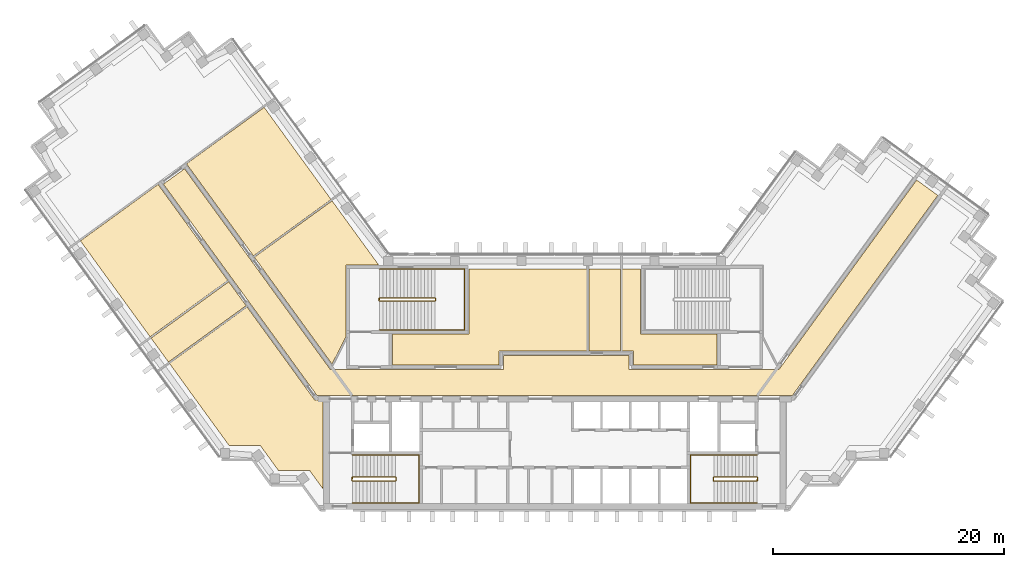
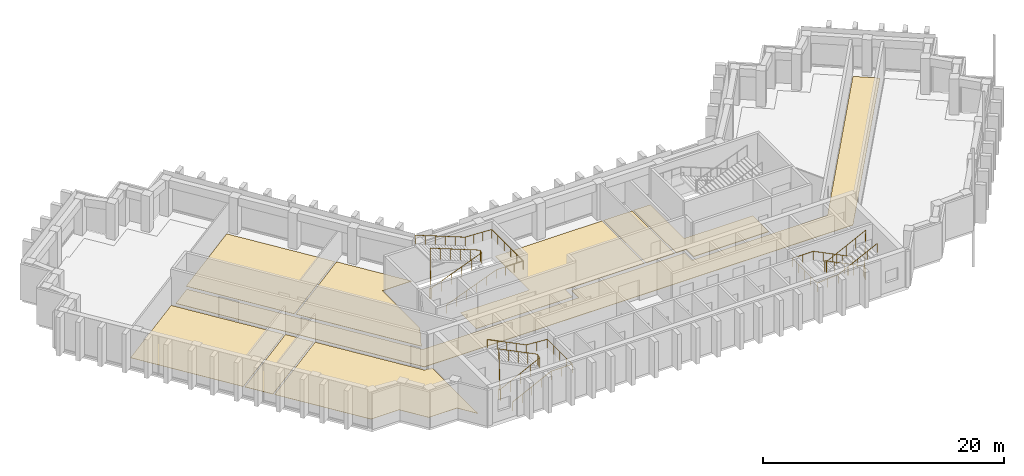
# One storey, part 8 of 9: 9 coverings, 6 railings.
"""IFC4 building model written with IfcOpenShell, lengths in metres."""

from ifc_helpers import new_model, si_unit, direction, frame, origin, origin_2d, place, context, subcontext, project, spatial, polyline, circle, outline, extrude, material, layer, layer_set, type_object, element, save


model = new_model("IFC4")

# Units and contexts
model_context = context("Model", 3, precision=1e-05, world=origin(), true_north=direction((0.0, 1.0)))
body_context = subcontext(model_context, "Body", "Model", "MODEL_VIEW")
ifc_project = project(units=[si_unit("LENGTHUNIT", "METRE"), si_unit("AREAUNIT", "SQUARE_METRE"), si_unit("VOLUMEUNIT", "CUBIC_METRE"), si_unit("PLANEANGLEUNIT", "RADIAN"), si_unit("MASSUNIT", "GRAM", prefix="KILO")], contexts=[model_context])

# Site, building, storey
site_placement = place(None, origin())
site = spatial("IfcSite", under=ifc_project, at=site_placement, CompositionType="ELEMENT")
building_placement = place(site_placement, origin())
building = spatial("IfcBuilding", under=site, at=building_placement, Name="Quipu Civic Tower", CompositionType="ELEMENT")
storey_placement = place(building_placement, frame((0.0, 0.0, 226.0)))
storey = spatial("IfcBuildingStorey", under=building, at=storey_placement, Name="L53", CompositionType="ELEMENT", Elevation=226.0)

# Coverings
ifc_material_1 = material(Name="Carpet tile on raised access floor")
ifc_layer_1 = layer(ifc_material_1, 0.02001953125)
ifc_layer_set_1 = layer_set([ifc_layer_1], Name="Carpet tile on raised access floor")
covering_type_1 = type_object("IfcCoveringType", Name="Carpet tile floor finish 20", PredefinedType="FLOORING", material=ifc_layer_set_1)
covering_1_placement = place(storey_placement, origin())
element("IfcCovering", 1, at=covering_1_placement, inside=storey, type_object=covering_type_1, Name="Carpet tile floor finish 20", PredefinedType="FLOORING", context=body_context, shape_type="SweptSolid", body=[
    extrude(outline(polyline([(-33.344970703125, 1.64501953125), (-26.6220703125, 6.529052734375), (-20.77490234375, -1.51904296875), (-20.070068359375, -1.52001953125), (-20.070068359375, -9.195068359375), (-21.196044921875, -7.64599609375), (-23.89501953125, -7.64599609375), (-25.48193359375, -5.4619140625), (-28.181884765625, -5.4609375), (-33.344970703125, 1.64501953125)])), origin(), (0.0, 0.0, 1.0), 0.02001953125),
])
covering_2_placement = place(storey_placement, origin())
element("IfcCovering", 2, at=covering_2_placement, inside=storey, type_object=covering_type_1, Name="Carpet tile floor finish 20", PredefinedType="FLOORING", context=body_context, shape_type="SweptSolid", body=[
    extrude(outline(polyline([(-14.030029296875, 1.52001953125), (-14.030029296875, 4.179931640625), (-7.429931640625, 4.180908203125), (-7.429931640625, 9.830078125), (2.80908203125, 9.830078125), (2.80908203125, 2.719970703125), (-4.818115234375, 2.719970703125), (-4.820068359375, 1.52001953125), (-14.030029296875, 1.52001953125)])), origin(), (0.0, 0.0, 1.0), 0.02001953125),
])
covering_3_placement = place(storey_placement, origin())
element("IfcCovering", 3, at=covering_3_placement, inside=storey, type_object=covering_type_1, Name="Carpet tile floor finish 20", PredefinedType="FLOORING", context=body_context, shape_type="SweptSolid", body=[
    extrude(outline(polyline([(-41.048095703125, 12.2470703125), (-34.324951171875, 17.131103515625), (-28.2919921875, 8.826904296875), (-35.01611328125, 3.943115234375), (-41.048095703125, 12.2470703125)])), origin(), (0.0, 0.0, 1.0), 0.02001953125),
])
covering_4_placement = place(storey_placement, origin())
element("IfcCovering", 4, at=covering_4_placement, inside=storey, type_object=covering_type_1, Name="Carpet tile floor finish 20", PredefinedType="FLOORING", context=body_context, shape_type="SweptSolid", body=[
    extrude(outline(polyline([(-31.865966796875, 18.9189453125), (-25.14306640625, 23.802978515625), (-19.35107421875, 15.8291015625), (-26.073974609375, 10.946044921875), (-31.865966796875, 18.9189453125)])), origin(), (0.0, 0.0, 1.0), 0.02001953125),
])
ifc_material_2 = material(Name="Ceramic floor tile")
ifc_layer_2 = layer(ifc_material_2, 0.030029296875)
ifc_layer_set_2 = layer_set([ifc_layer_2], Name="Ceramic floor tile")
covering_type_2 = type_object("IfcCoveringType", Name="Ceramic tile floor finish 30", PredefinedType="FLOORING", material=ifc_layer_set_2)
covering_5_placement = place(storey_placement, origin())
element("IfcCovering", 5, at=covering_5_placement, inside=storey, type_object=covering_type_2, Name="Ceramic tile floor finish 30", PredefinedType="FLOORING", context=body_context, shape_type="SweptSolid", body=[
    extrude(outline(polyline([(-25.990966796875, 10.8330078125), (-19.26806640625, 15.716064453125), (-15.238037109375, 10.169921875), (-18.070068359375, 10.1689453125), (-18.070068359375, 3.94189453125), (-19.27197265625, 1.583984375), (-25.990966796875, 10.8330078125)])), origin(), (0.0, 0.0, 1.0), 0.030029296875),
])
covering_6_placement = place(storey_placement, origin())
element("IfcCovering", 6, at=covering_6_placement, inside=storey, type_object=covering_type_2, Name="Ceramic tile floor finish 30", PredefinedType="FLOORING", context=body_context, shape_type="SweptSolid", body=[
    extrude(outline(polyline([(-34.931884765625, 3.830078125), (-28.208984375, 8.714111328125), (-26.705078125, 6.64208984375), (-33.427978515625, 1.758056640625), (-34.931884765625, 3.830078125)])), origin(), (0.0, 0.0, 1.0), 0.030029296875),
])
covering_7_placement = place(storey_placement, origin())
element("IfcCovering", 7, at=covering_7_placement, inside=storey, type_object=covering_type_2, Name="Ceramic tile floor finish 30", PredefinedType="FLOORING", context=body_context, shape_type="SweptSolid", body=[
    extrude(outline(polyline([(2.948974609375, 2.719970703125), (2.948974609375, 9.830078125), (5.68798828125, 9.830078125), (5.68798828125, 2.719970703125), (2.948974609375, 2.719970703125)])), origin(), (0.0, 0.0, 1.0), 0.030029296875),
])
ifc_material_3 = material(Name="Sealed cement screed")
ifc_layer_3 = layer(ifc_material_3, 0.050048828125)
ifc_layer_set_3 = layer_set([ifc_layer_3], Name="Sealed cement screed")
covering_type_3 = type_object("IfcCoveringType", Name="Sealed screed floor finish 50", PredefinedType="FLOORING", material=ifc_layer_set_3)
covering_8_placement = place(storey_placement, origin())
element("IfcCovering", 8, at=covering_8_placement, inside=storey, type_object=covering_type_3, Name="Sealed screed floor finish 50", PredefinedType="FLOORING", context=body_context, shape_type="SweptSolid", body=[
    extrude(outline(polyline([(5.827880859375, 2.719970703125), (5.827880859375, 9.830078125), (7.429931640625, 9.830078125), (7.430908203125, 4.179931640625), (14.030029296875, 4.179931640625), (14.030029296875, 1.52001953125), (6.820068359375, 1.52001953125), (6.820068359375, 2.718994140625), (5.827880859375, 2.719970703125)])), origin(), (0.0, 0.0, 1.0), 0.050048828125),
])

# Railings
ifc_material_4 = material(Name="Stainless steel", Category="steel")
railing_type_1 = type_object("IfcRailingType", Name="Stair guard 1100", PredefinedType="GUARDRAIL", material=ifc_material_4)
railing_1_placement = place(storey_placement, frame((-17.5, -8.550048828125, 0.15380859375)))
element("IfcRailing", 9, at=railing_1_placement, inside=storey, type_object=railing_type_1, Name="Stair 1 guard", PredefinedType="GUARDRAIL", context=body_context, shape_type="SweptSolid", body=[
    extrude(circle(Radius=0.02392578125, at=origin_2d()), frame((0.0, 0.0, 1.076171875), z_axis=(0.895751851347, 0.0, 0.444554407028), x_axis=(0.0, 1.0, 0.0)), (0.0, 0.0, 1.0), 4.15283203125),
    extrude(circle(Radius=0.02392578125, at=origin_2d()), frame((3.719970703125, 0.0, 2.92236328125), z_axis=(0.707106781187, 0.707106781187, 0.0), x_axis=(-0.707106781187, 0.707106781187, 0.0)), (0.0, 0.0, 1.0), 0.07080078125),
    extrude(circle(Radius=0.02392578125, at=origin_2d()), frame((3.77001953125, 0.050048828125, 2.92236328125), z_axis=(0.0, 1.0, 0.0), x_axis=(-1.0, 0.0, 0.0)), (0.0, 0.0, 1.0), 0.25),
    extrude(circle(Radius=0.02392578125, at=origin_2d()), frame((3.77001953125, 0.300048828125, 2.92236328125), z_axis=(-0.295599637079, 0.295599637079, 0.908428152975), x_axis=(-0.707106781187, -0.707106781187, 0.0)), (0.0, 0.0, 1.0), 0.16943359375),
    extrude(circle(Radius=0.02392578125, at=origin_2d()), frame((3.719970703125, 0.35009765625, 3.076171875), z_axis=(-0.895751851347, 0.0, 0.444554407028), x_axis=(0.0, -1.0, 0.0)), (0.0, 0.0, 1.0), 4.15283203125),
    extrude(circle(Radius=0.02392578125, at=origin_2d()), frame((0.0, 0.35009765625, 4.92236328125), z_axis=(-0.012476181752, -0.074796231092, -0.997120789425), x_axis=(0.986372223864, -0.164529134168, 0.0)), (0.0, 0.0, 1.0), 4.011474609375),
    extrude(circle(Radius=0.02392578125, at=origin_2d()), frame((-0.050048828125, 0.050048828125, 0.92236328125), z_axis=(0.0, 1.0, 0.0), x_axis=(-1.0, 0.0, 0.0)), (0.0, 0.0, 1.0), 0.25),
    extrude(circle(Radius=0.02099609375, at=origin_2d()), origin(), (0.0, 0.0, 1.0), 1.052001953125),
    extrude(circle(Radius=0.02099609375, at=origin_2d()), frame((0.929931640625, 0.0, 0.46142578125)), (0.0, 0.0, 1.0), 1.052001953125),
    extrude(circle(Radius=0.02099609375, at=origin_2d()), frame((1.85986328125, 0.0, 0.923095703125)), (0.0, 0.0, 1.0), 1.052001953125),
    extrude(circle(Radius=0.02099609375, at=origin_2d()), frame((2.7900390625, 0.0, 1.384765625)), (0.0, 0.0, 1.0), 1.052001953125),
    extrude(circle(Radius=0.02099609375, at=origin_2d()), frame((3.719970703125, 0.0, 1.84619140625)), (0.0, 0.0, 1.0), 1.052001953125),
    extrude(circle(Radius=0.02099609375, at=origin_2d()), frame((3.77001953125, 0.050048828125, 1.84619140625)), (0.0, 0.0, 1.0), 1.052001953125),
    extrude(circle(Radius=0.02099609375, at=origin_2d()), frame((3.77001953125, 0.300048828125, 1.84619140625)), (0.0, 0.0, 1.0), 1.052001953125),
    extrude(circle(Radius=0.02099609375, at=origin_2d()), frame((3.719970703125, 0.35009765625, 2.0)), (0.0, 0.0, 1.0), 1.052001953125),
    extrude(circle(Radius=0.02099609375, at=origin_2d()), frame((2.7900390625, 0.35009765625, 2.46142578125)), (0.0, 0.0, 1.0), 1.052001953125),
    extrude(circle(Radius=0.02099609375, at=origin_2d()), frame((1.85986328125, 0.35009765625, 2.923095703125)), (0.0, 0.0, 1.0), 1.052001953125),
    extrude(circle(Radius=0.02099609375, at=origin_2d()), frame((0.929931640625, 0.35009765625, 3.384765625)), (0.0, 0.0, 1.0), 1.052001953125),
    extrude(circle(Radius=0.02099609375, at=origin_2d()), frame((0.0, 0.35009765625, 3.84619140625)), (0.0, 0.0, 1.0), 1.052001953125),
    extrude(circle(Radius=0.02099609375, at=origin_2d()), frame((-0.012451171875, 0.275146484375, 2.84619140625)), (0.0, 0.0, 1.0), 1.052001953125),
    extrude(circle(Radius=0.02099609375, at=origin_2d()), frame((-0.02490234375, 0.2001953125, 1.84619140625)), (0.0, 0.0, 1.0), 1.052001953125),
    extrude(circle(Radius=0.02099609375, at=origin_2d()), frame((-0.03759765625, 0.125, 0.84619140625)), (0.0, 0.0, 1.0), 1.052001953125),
    extrude(circle(Radius=0.02099609375, at=origin_2d()), frame((-0.050048828125, 0.050048828125, -0.15380859375)), (0.0, 0.0, 1.0), 1.052001953125),
    extrude(circle(Radius=0.02099609375, at=origin_2d()), frame((-0.050048828125, 0.300048828125, -0.15380859375)), (0.0, 0.0, 1.0), 1.052001953125),
])
railing_2_placement = place(storey_placement, frame((17.5, -8.199951171875, 0.15380859375)))
element("IfcRailing", 10, at=railing_2_placement, inside=storey, type_object=railing_type_1, Name="Stair 2 guard", PredefinedType="GUARDRAIL", context=body_context, shape_type="SweptSolid", body=[
    extrude(circle(Radius=0.02392578125, at=origin_2d()), frame((0.0, 0.0, 1.076171875), z_axis=(-0.895751851347, 0.0, 0.444554407028), x_axis=(0.0, -1.0, 0.0)), (0.0, 0.0, 1.0), 4.15283203125),
    extrude(circle(Radius=0.02392578125, at=origin_2d()), frame((-3.719970703125, 0.0, 2.92236328125), z_axis=(-0.707106781187, -0.707106781187, 0.0), x_axis=(0.707106781187, -0.707106781187, 0.0)), (0.0, 0.0, 1.0), 0.07080078125),
    extrude(circle(Radius=0.02392578125, at=origin_2d()), frame((-3.77001953125, -0.050048828125, 2.92236328125), z_axis=(0.0, -1.0, 0.0), x_axis=(1.0, 0.0, 0.0)), (0.0, 0.0, 1.0), 0.25),
    extrude(circle(Radius=0.02392578125, at=origin_2d()), frame((-3.77001953125, -0.300048828125, 2.92236328125), z_axis=(0.295599637079, -0.295599637079, 0.908428152975), x_axis=(0.707106781187, 0.707106781187, 0.0)), (0.0, 0.0, 1.0), 0.16943359375),
    extrude(circle(Radius=0.02392578125, at=origin_2d()), frame((-3.719970703125, -0.35009765625, 3.076171875), z_axis=(0.895751851347, 0.0, 0.444554407028), x_axis=(0.0, 1.0, 0.0)), (0.0, 0.0, 1.0), 4.15283203125),
    extrude(circle(Radius=0.02392578125, at=origin_2d()), frame((0.0, -0.35009765625, 4.92236328125), z_axis=(0.012476181752, 0.074796231092, -0.997120789425), x_axis=(-0.986372223864, 0.164529134168, 0.0)), (0.0, 0.0, 1.0), 4.011474609375),
    extrude(circle(Radius=0.02392578125, at=origin_2d()), frame((0.050048828125, -0.050048828125, 0.92236328125), z_axis=(0.0, -1.0, 0.0), x_axis=(1.0, 0.0, 0.0)), (0.0, 0.0, 1.0), 0.25),
    extrude(circle(Radius=0.02099609375, at=origin_2d()), origin(), (0.0, 0.0, 1.0), 1.052001953125),
    extrude(circle(Radius=0.02099609375, at=origin_2d()), frame((-0.929931640625, 0.0, 0.46142578125)), (0.0, 0.0, 1.0), 1.052001953125),
    extrude(circle(Radius=0.02099609375, at=origin_2d()), frame((-1.85986328125, 0.0, 0.923095703125)), (0.0, 0.0, 1.0), 1.052001953125),
    extrude(circle(Radius=0.02099609375, at=origin_2d()), frame((-2.7900390625, 0.0, 1.384765625)), (0.0, 0.0, 1.0), 1.052001953125),
    extrude(circle(Radius=0.02099609375, at=origin_2d()), frame((-3.719970703125, 0.0, 1.84619140625)), (0.0, 0.0, 1.0), 1.052001953125),
    extrude(circle(Radius=0.02099609375, at=origin_2d()), frame((-3.77001953125, -0.050048828125, 1.84619140625)), (0.0, 0.0, 1.0), 1.052001953125),
    extrude(circle(Radius=0.02099609375, at=origin_2d()), frame((-3.77001953125, -0.300048828125, 1.84619140625)), (0.0, 0.0, 1.0), 1.052001953125),
    extrude(circle(Radius=0.02099609375, at=origin_2d()), frame((-3.719970703125, -0.35009765625, 2.0)), (0.0, 0.0, 1.0), 1.052001953125),
    extrude(circle(Radius=0.02099609375, at=origin_2d()), frame((-2.7900390625, -0.35009765625, 2.46142578125)), (0.0, 0.0, 1.0), 1.052001953125),
    extrude(circle(Radius=0.02099609375, at=origin_2d()), frame((-1.85986328125, -0.35009765625, 2.923095703125)), (0.0, 0.0, 1.0), 1.052001953125),
    extrude(circle(Radius=0.02099609375, at=origin_2d()), frame((-0.929931640625, -0.35009765625, 3.384765625)), (0.0, 0.0, 1.0), 1.052001953125),
    extrude(circle(Radius=0.02099609375, at=origin_2d()), frame((0.0, -0.35009765625, 3.84619140625)), (0.0, 0.0, 1.0), 1.052001953125),
    extrude(circle(Radius=0.02099609375, at=origin_2d()), frame((0.012451171875, -0.275146484375, 2.84619140625)), (0.0, 0.0, 1.0), 1.052001953125),
    extrude(circle(Radius=0.02099609375, at=origin_2d()), frame((0.02490234375, -0.2001953125, 1.84619140625)), (0.0, 0.0, 1.0), 1.052001953125),
    extrude(circle(Radius=0.02099609375, at=origin_2d()), frame((0.03759765625, -0.125, 0.84619140625)), (0.0, 0.0, 1.0), 1.052001953125),
    extrude(circle(Radius=0.02099609375, at=origin_2d()), frame((0.050048828125, -0.050048828125, -0.15380859375)), (0.0, 0.0, 1.0), 1.052001953125),
    extrude(circle(Radius=0.02099609375, at=origin_2d()), frame((0.050048828125, -0.300048828125, -0.15380859375)), (0.0, 0.0, 1.0), 1.052001953125),
])
railing_3_placement = place(storey_placement, frame((-15.14990234375, 7.050048828125, 0.11767578125)))
element("IfcRailing", 11, at=railing_3_placement, inside=storey, type_object=railing_type_1, Name="Stair 3 guard", PredefinedType="GUARDRAIL", context=body_context, shape_type="SweptSolid", body=[
    extrude(circle(Radius=0.02392578125, at=origin_2d()), frame((0.0, 0.0, 1.076171875), z_axis=(0.930970042603, 0.0, 0.365095576219), x_axis=(0.0, 1.0, 0.0)), (0.0, 0.0, 1.0), 5.15576171875),
    extrude(circle(Radius=0.02392578125, at=origin_2d()), frame((4.7998046875, 0.0, 2.95849609375), z_axis=(0.707106781187, 0.707106781187, 0.0), x_axis=(-0.707106781187, 0.707106781187, 0.0)), (0.0, 0.0, 1.0), 0.07080078125),
    extrude(circle(Radius=0.02392578125, at=origin_2d()), frame((4.849853515625, 0.050048828125, 2.95849609375), z_axis=(0.0, 1.0, 0.0), x_axis=(-1.0, 0.0, 0.0)), (0.0, 0.0, 1.0), 0.14990234375),
    extrude(circle(Radius=0.02392578125, at=origin_2d()), frame((4.849853515625, 0.199951171875, 2.95849609375), z_axis=(-0.364463019033, 0.364463019033, 0.856932561824), x_axis=(-0.707106781187, -0.707106781187, 0.0)), (0.0, 0.0, 1.0), 0.13720703125),
    extrude(circle(Radius=0.02392578125, at=origin_2d()), frame((4.7998046875, 0.25, 3.076171875), z_axis=(-0.930970042603, 0.0, 0.365095576219), x_axis=(0.0, -1.0, 0.0)), (0.0, 0.0, 1.0), 5.15576171875),
    extrude(circle(Radius=0.02392578125, at=origin_2d()), frame((0.0, 0.25, 4.95849609375), z_axis=(-0.012495627992, -0.049921557685, -0.998674970829), x_axis=(0.970072785993, -0.242814311512, 0.0)), (0.0, 0.0, 1.0), 4.00537109375),
    extrude(circle(Radius=0.02392578125, at=origin_2d()), frame((-0.050048828125, 0.050048828125, 0.95849609375), z_axis=(0.0, 1.0, 0.0), x_axis=(-1.0, 0.0, 0.0)), (0.0, 0.0, 1.0), 0.14990234375),
    extrude(circle(Radius=0.02099609375, at=origin_2d()), origin(), (0.0, 0.0, 1.0), 1.052001953125),
    extrude(circle(Radius=0.02099609375, at=origin_2d()), frame((0.9599609375, 0.0, 0.37646484375)), (0.0, 0.0, 1.0), 1.052001953125),
    extrude(circle(Radius=0.02099609375, at=origin_2d()), frame((1.919921875, 0.0, 0.7529296875)), (0.0, 0.0, 1.0), 1.052001953125),
    extrude(circle(Radius=0.02099609375, at=origin_2d()), frame((2.8798828125, 0.0, 1.12939453125)), (0.0, 0.0, 1.0), 1.052001953125),
    extrude(circle(Radius=0.02099609375, at=origin_2d()), frame((3.83984375, 0.0, 1.505859375)), (0.0, 0.0, 1.0), 1.052001953125),
    extrude(circle(Radius=0.02099609375, at=origin_2d()), frame((4.7998046875, 0.0, 1.88232421875)), (0.0, 0.0, 1.0), 1.052001953125),
    extrude(circle(Radius=0.02099609375, at=origin_2d()), frame((4.849853515625, 0.050048828125, 1.88232421875)), (0.0, 0.0, 1.0), 1.052001953125),
    extrude(circle(Radius=0.02099609375, at=origin_2d()), frame((4.849853515625, 0.199951171875, 1.88232421875)), (0.0, 0.0, 1.0), 1.052001953125),
    extrude(circle(Radius=0.02099609375, at=origin_2d()), frame((4.7998046875, 0.25, 2.0)), (0.0, 0.0, 1.0), 1.052001953125),
    extrude(circle(Radius=0.02099609375, at=origin_2d()), frame((3.83984375, 0.25, 2.37646484375)), (0.0, 0.0, 1.0), 1.052001953125),
    extrude(circle(Radius=0.02099609375, at=origin_2d()), frame((2.8798828125, 0.25, 2.7529296875)), (0.0, 0.0, 1.0), 1.052001953125),
    extrude(circle(Radius=0.02099609375, at=origin_2d()), frame((1.919921875, 0.25, 3.12939453125)), (0.0, 0.0, 1.0), 1.052001953125),
    extrude(circle(Radius=0.02099609375, at=origin_2d()), frame((0.9599609375, 0.25, 3.505859375)), (0.0, 0.0, 1.0), 1.052001953125),
    extrude(circle(Radius=0.02099609375, at=origin_2d()), frame((0.0, 0.25, 3.88232421875)), (0.0, 0.0, 1.0), 1.052001953125),
    extrude(circle(Radius=0.02099609375, at=origin_2d()), frame((-0.012451171875, 0.199951171875, 2.88232421875)), (0.0, 0.0, 1.0), 1.052001953125),
    extrude(circle(Radius=0.02099609375, at=origin_2d()), frame((-0.02490234375, 0.14990234375, 1.88232421875)), (0.0, 0.0, 1.0), 1.052001953125),
    extrude(circle(Radius=0.02099609375, at=origin_2d()), frame((-0.03759765625, 0.10009765625, 0.88232421875)), (0.0, 0.0, 1.0), 1.052001953125),
    extrude(circle(Radius=0.02099609375, at=origin_2d()), frame((-0.050048828125, 0.050048828125, -0.11767578125)), (0.0, 0.0, 1.0), 1.052001953125),
    extrude(circle(Radius=0.02099609375, at=origin_2d()), frame((-0.050048828125, 0.199951171875, -0.11767578125)), (0.0, 0.0, 1.0), 1.052001953125),
])
ifc_material_5 = material(Name="Stainless steel", Category="steel")
railing_type_2 = type_object("IfcRailingType", Name="Stair handrail", PredefinedType="HANDRAIL", material=ifc_material_5)
railing_4_placement = place(storey_placement, frame((-17.5, -10.449951171875, 0.15380859375)))
element("IfcRailing", 12, at=railing_4_placement, inside=storey, type_object=railing_type_2, Name="Stair 1 handrail", PredefinedType="HANDRAIL", context=body_context, shape_type="SweptSolid", body=[
    extrude(circle(Radius=0.02392578125, at=origin_2d()), frame((0.0, 0.0, 0.8759765625), z_axis=(0.895751851347, 0.0, 0.444554407028), x_axis=(0.0, 1.0, 0.0)), (0.0, 0.0, 1.0), 4.15283203125),
    extrude(circle(Radius=0.02392578125, at=origin_2d()), frame((3.719970703125, 0.0, 2.72216796875), z_axis=(1.0, 0.0, 0.0), x_axis=(0.0, 1.0, 0.0)), (0.0, 0.0, 1.0), 2.030029296875),
    extrude(circle(Radius=0.02392578125, at=origin_2d()), frame((5.75, 0.0, 2.72216796875), z_axis=(0.0, 1.0, 0.0), x_axis=(-1.0, 0.0, 0.0)), (0.0, 0.0, 1.0), 4.14990234375),
    extrude(circle(Radius=0.02392578125, at=origin_2d()), frame((5.75, 4.14990234375, 2.72216796875), z_axis=(-0.997142003663, 0.0, 0.075550145798), x_axis=(0.0, -1.0, 0.0)), (0.0, 0.0, 1.0), 2.035888671875),
    extrude(circle(Radius=0.02392578125, at=origin_2d()), frame((3.719970703125, 4.14990234375, 2.8759765625), z_axis=(-0.895751851347, 0.0, 0.444554407028), x_axis=(0.0, -1.0, 0.0)), (0.0, 0.0, 1.0), 4.15283203125),
    extrude(circle(Radius=0.02099609375, at=origin_2d()), origin(), (0.0, 0.0, 1.0), 0.851806640625),
    extrude(circle(Radius=0.02099609375, at=origin_2d()), frame((0.929931640625, 0.0, 0.46142578125)), (0.0, 0.0, 1.0), 0.851806640625),
    extrude(circle(Radius=0.02099609375, at=origin_2d()), frame((1.85986328125, 0.0, 0.923095703125)), (0.0, 0.0, 1.0), 0.851806640625),
    extrude(circle(Radius=0.02099609375, at=origin_2d()), frame((2.7900390625, 0.0, 1.384765625)), (0.0, 0.0, 1.0), 0.851806640625),
    extrude(circle(Radius=0.02099609375, at=origin_2d()), frame((3.719970703125, 0.0, 1.84619140625)), (0.0, 0.0, 1.0), 0.851806640625),
    extrude(circle(Radius=0.02099609375, at=origin_2d()), frame((4.73486328125, 0.0, 1.84619140625)), (0.0, 0.0, 1.0), 0.851806640625),
    extrude(circle(Radius=0.02099609375, at=origin_2d()), frame((5.75, 0.0, 1.84619140625)), (0.0, 0.0, 1.0), 0.851806640625),
    extrude(circle(Radius=0.02099609375, at=origin_2d()), frame((5.75, 1.03759765625, 1.84619140625)), (0.0, 0.0, 1.0), 0.851806640625),
    extrude(circle(Radius=0.02099609375, at=origin_2d()), frame((5.75, 2.074951171875, 1.84619140625)), (0.0, 0.0, 1.0), 0.851806640625),
    extrude(circle(Radius=0.02099609375, at=origin_2d()), frame((5.75, 3.1123046875, 1.84619140625)), (0.0, 0.0, 1.0), 0.851806640625),
    extrude(circle(Radius=0.02099609375, at=origin_2d()), frame((5.75, 4.14990234375, 1.84619140625)), (0.0, 0.0, 1.0), 0.851806640625),
    extrude(circle(Radius=0.02099609375, at=origin_2d()), frame((4.73486328125, 4.14990234375, 1.923095703125)), (0.0, 0.0, 1.0), 0.851806640625),
    extrude(circle(Radius=0.02099609375, at=origin_2d()), frame((3.719970703125, 4.14990234375, 2.0)), (0.0, 0.0, 1.0), 0.851806640625),
    extrude(circle(Radius=0.02099609375, at=origin_2d()), frame((2.7900390625, 4.14990234375, 2.46142578125)), (0.0, 0.0, 1.0), 0.851806640625),
    extrude(circle(Radius=0.02099609375, at=origin_2d()), frame((1.85986328125, 4.14990234375, 2.923095703125)), (0.0, 0.0, 1.0), 0.851806640625),
    extrude(circle(Radius=0.02099609375, at=origin_2d()), frame((0.929931640625, 4.14990234375, 3.384765625)), (0.0, 0.0, 1.0), 0.851806640625),
    extrude(circle(Radius=0.02099609375, at=origin_2d()), frame((0.0, 4.14990234375, 3.84619140625)), (0.0, 0.0, 1.0), 0.851806640625),
])
railing_5_placement = place(storey_placement, frame((17.5, -6.300048828125, 0.15380859375)))
element("IfcRailing", 13, at=railing_5_placement, inside=storey, type_object=railing_type_2, Name="Stair 2 handrail", PredefinedType="HANDRAIL", context=body_context, shape_type="SweptSolid", body=[
    extrude(circle(Radius=0.02392578125, at=origin_2d()), frame((0.0, 0.0, 0.8759765625), z_axis=(-0.895751851347, 0.0, 0.444554407028), x_axis=(0.0, -1.0, 0.0)), (0.0, 0.0, 1.0), 4.15283203125),
    extrude(circle(Radius=0.02392578125, at=origin_2d()), frame((-3.719970703125, 0.0, 2.72216796875), z_axis=(-1.0, 0.0, 0.0), x_axis=(0.0, -1.0, 0.0)), (0.0, 0.0, 1.0), 2.030029296875),
    extrude(circle(Radius=0.02392578125, at=origin_2d()), frame((-5.75, 0.0, 2.72216796875), z_axis=(0.0, -1.0, 0.0), x_axis=(1.0, 0.0, 0.0)), (0.0, 0.0, 1.0), 4.14990234375),
    extrude(circle(Radius=0.02392578125, at=origin_2d()), frame((-5.75, -4.14990234375, 2.72216796875), z_axis=(0.997142003663, 0.0, 0.075550145798), x_axis=(0.0, 1.0, 0.0)), (0.0, 0.0, 1.0), 2.035888671875),
    extrude(circle(Radius=0.02392578125, at=origin_2d()), frame((-3.719970703125, -4.14990234375, 2.8759765625), z_axis=(0.895751851347, 0.0, 0.444554407028), x_axis=(0.0, 1.0, 0.0)), (0.0, 0.0, 1.0), 4.15283203125),
    extrude(circle(Radius=0.02099609375, at=origin_2d()), origin(), (0.0, 0.0, 1.0), 0.851806640625),
    extrude(circle(Radius=0.02099609375, at=origin_2d()), frame((-0.929931640625, 0.0, 0.46142578125)), (0.0, 0.0, 1.0), 0.851806640625),
    extrude(circle(Radius=0.02099609375, at=origin_2d()), frame((-1.85986328125, 0.0, 0.923095703125)), (0.0, 0.0, 1.0), 0.851806640625),
    extrude(circle(Radius=0.02099609375, at=origin_2d()), frame((-2.7900390625, 0.0, 1.384765625)), (0.0, 0.0, 1.0), 0.851806640625),
    extrude(circle(Radius=0.02099609375, at=origin_2d()), frame((-3.719970703125, 0.0, 1.84619140625)), (0.0, 0.0, 1.0), 0.851806640625),
    extrude(circle(Radius=0.02099609375, at=origin_2d()), frame((-4.73486328125, 0.0, 1.84619140625)), (0.0, 0.0, 1.0), 0.851806640625),
    extrude(circle(Radius=0.02099609375, at=origin_2d()), frame((-5.75, 0.0, 1.84619140625)), (0.0, 0.0, 1.0), 0.851806640625),
    extrude(circle(Radius=0.02099609375, at=origin_2d()), frame((-5.75, -1.03759765625, 1.84619140625)), (0.0, 0.0, 1.0), 0.851806640625),
    extrude(circle(Radius=0.02099609375, at=origin_2d()), frame((-5.75, -2.074951171875, 1.84619140625)), (0.0, 0.0, 1.0), 0.851806640625),
    extrude(circle(Radius=0.02099609375, at=origin_2d()), frame((-5.75, -3.1123046875, 1.84619140625)), (0.0, 0.0, 1.0), 0.851806640625),
    extrude(circle(Radius=0.02099609375, at=origin_2d()), frame((-5.75, -4.14990234375, 1.84619140625)), (0.0, 0.0, 1.0), 0.851806640625),
    extrude(circle(Radius=0.02099609375, at=origin_2d()), frame((-4.73486328125, -4.14990234375, 1.923095703125)), (0.0, 0.0, 1.0), 0.851806640625),
    extrude(circle(Radius=0.02099609375, at=origin_2d()), frame((-3.719970703125, -4.14990234375, 2.0)), (0.0, 0.0, 1.0), 0.851806640625),
    extrude(circle(Radius=0.02099609375, at=origin_2d()), frame((-2.7900390625, -4.14990234375, 2.46142578125)), (0.0, 0.0, 1.0), 0.851806640625),
    extrude(circle(Radius=0.02099609375, at=origin_2d()), frame((-1.85986328125, -4.14990234375, 2.923095703125)), (0.0, 0.0, 1.0), 0.851806640625),
    extrude(circle(Radius=0.02099609375, at=origin_2d()), frame((-0.929931640625, -4.14990234375, 3.384765625)), (0.0, 0.0, 1.0), 0.851806640625),
    extrude(circle(Radius=0.02099609375, at=origin_2d()), frame((0.0, -4.14990234375, 3.84619140625)), (0.0, 0.0, 1.0), 0.851806640625),
])
railing_6_placement = place(storey_placement, frame((-15.14990234375, 4.550048828125, 0.11767578125)))
element("IfcRailing", 14, at=railing_6_placement, inside=storey, type_object=railing_type_2, Name="Stair 3 handrail", PredefinedType="HANDRAIL", context=body_context, shape_type="SweptSolid", body=[
    extrude(circle(Radius=0.02392578125, at=origin_2d()), frame((0.0, 0.0, 0.8759765625), z_axis=(0.930970042603, 0.0, 0.365095576219), x_axis=(0.0, 1.0, 0.0)), (0.0, 0.0, 1.0), 5.15576171875),
    extrude(circle(Radius=0.02392578125, at=origin_2d()), frame((4.7998046875, 0.0, 2.75830078125), z_axis=(1.0, 0.0, 0.0), x_axis=(0.0, 1.0, 0.0)), (0.0, 0.0, 1.0), 2.550048828125),
    extrude(circle(Radius=0.02392578125, at=origin_2d()), frame((7.349853515625, 0.0, 2.75830078125), z_axis=(0.0, 1.0, 0.0), x_axis=(-1.0, 0.0, 0.0)), (0.0, 0.0, 1.0), 5.25),
    extrude(circle(Radius=0.02392578125, at=origin_2d()), frame((7.349853515625, 5.25, 2.75830078125), z_axis=(-0.998936948642, 0.0, 0.04609742549), x_axis=(0.0, -1.0, 0.0)), (0.0, 0.0, 1.0), 2.552734375),
    extrude(circle(Radius=0.02392578125, at=origin_2d()), frame((4.7998046875, 5.25, 2.8759765625), z_axis=(-0.930970042603, 0.0, 0.365095576219), x_axis=(0.0, -1.0, 0.0)), (0.0, 0.0, 1.0), 5.15576171875),
    extrude(circle(Radius=0.02099609375, at=origin_2d()), origin(), (0.0, 0.0, 1.0), 0.851806640625),
    extrude(circle(Radius=0.02099609375, at=origin_2d()), frame((0.9599609375, 0.0, 0.37646484375)), (0.0, 0.0, 1.0), 0.851806640625),
    extrude(circle(Radius=0.02099609375, at=origin_2d()), frame((1.919921875, 0.0, 0.7529296875)), (0.0, 0.0, 1.0), 0.851806640625),
    extrude(circle(Radius=0.02099609375, at=origin_2d()), frame((2.8798828125, 0.0, 1.12939453125)), (0.0, 0.0, 1.0), 0.851806640625),
    extrude(circle(Radius=0.02099609375, at=origin_2d()), frame((3.83984375, 0.0, 1.505859375)), (0.0, 0.0, 1.0), 0.851806640625),
    extrude(circle(Radius=0.02099609375, at=origin_2d()), frame((4.7998046875, 0.0, 1.88232421875)), (0.0, 0.0, 1.0), 0.851806640625),
    extrude(circle(Radius=0.02099609375, at=origin_2d()), frame((5.64990234375, 0.0, 1.88232421875)), (0.0, 0.0, 1.0), 0.851806640625),
    extrude(circle(Radius=0.02099609375, at=origin_2d()), frame((6.499755859375, 0.0, 1.88232421875)), (0.0, 0.0, 1.0), 0.851806640625),
    extrude(circle(Radius=0.02099609375, at=origin_2d()), frame((7.349853515625, 0.0, 1.88232421875)), (0.0, 0.0, 1.0), 0.851806640625),
    extrude(circle(Radius=0.02099609375, at=origin_2d()), frame((7.349853515625, 1.050048828125, 1.88232421875)), (0.0, 0.0, 1.0), 0.851806640625),
    extrude(circle(Radius=0.02099609375, at=origin_2d()), frame((7.349853515625, 2.10009765625, 1.88232421875)), (0.0, 0.0, 1.0), 0.851806640625),
    extrude(circle(Radius=0.02099609375, at=origin_2d()), frame((7.349853515625, 3.14990234375, 1.88232421875)), (0.0, 0.0, 1.0), 0.851806640625),
    extrude(circle(Radius=0.02099609375, at=origin_2d()), frame((7.349853515625, 4.199951171875, 1.88232421875)), (0.0, 0.0, 1.0), 0.851806640625),
    extrude(circle(Radius=0.02099609375, at=origin_2d()), frame((7.349853515625, 5.25, 1.88232421875)), (0.0, 0.0, 1.0), 0.851806640625),
    extrude(circle(Radius=0.02099609375, at=origin_2d()), frame((6.499755859375, 5.25, 1.921630859375)), (0.0, 0.0, 1.0), 0.851806640625),
    extrude(circle(Radius=0.02099609375, at=origin_2d()), frame((5.64990234375, 5.25, 1.960693359375)), (0.0, 0.0, 1.0), 0.851806640625),
    extrude(circle(Radius=0.02099609375, at=origin_2d()), frame((4.7998046875, 5.25, 2.0)), (0.0, 0.0, 1.0), 0.851806640625),
    extrude(circle(Radius=0.02099609375, at=origin_2d()), frame((3.83984375, 5.25, 2.37646484375)), (0.0, 0.0, 1.0), 0.851806640625),
    extrude(circle(Radius=0.02099609375, at=origin_2d()), frame((2.8798828125, 5.25, 2.7529296875)), (0.0, 0.0, 1.0), 0.851806640625),
    extrude(circle(Radius=0.02099609375, at=origin_2d()), frame((1.919921875, 5.25, 3.12939453125)), (0.0, 0.0, 1.0), 0.851806640625),
    extrude(circle(Radius=0.02099609375, at=origin_2d()), frame((0.9599609375, 5.25, 3.505859375)), (0.0, 0.0, 1.0), 0.851806640625),
    extrude(circle(Radius=0.02099609375, at=origin_2d()), frame((0.0, 5.25, 3.88232421875)), (0.0, 0.0, 1.0), 0.851806640625),
])

# Covering
ifc_material_6 = material(Name="Terrazzo floor finish")
ifc_layer_4 = layer(ifc_material_6, 0.0400390625)
ifc_layer_set_4 = layer_set([ifc_layer_4], Name="Terrazzo floor finish")
covering_type_4 = type_object("IfcCoveringType", Name="Terrazzo floor finish 40", PredefinedType="FLOORING", material=ifc_layer_set_4)
covering_9_placement = place(storey_placement, origin())
element("IfcCovering", 15, at=covering_9_placement, inside=storey, type_object=covering_type_4, Name="Terrazzo floor finish 40", PredefinedType="FLOORING", context=body_context, shape_type="SweptSolid", body=[
    extrude(outline(polyline([(6.429931640625, 1.1298828125), (19.425048828125, 1.1298828125), (31.3291015625, 17.51611328125), (33.157958984375, 16.18798828125), (20.574951171875, -1.1298828125), (-20.574951171875, -1.1298828125), (-33.863037109375, 17.158935546875), (-32.033935546875, 18.487060546875), (-19.425048828125, 1.1298828125), (-4.429931640625, 1.1298828125), (-4.429931640625, 2.330078125), (6.429931640625, 2.330078125), (6.429931640625, 1.1298828125)])), origin(), (0.0, 0.0, 1.0), 0.0400390625),
])

save(model, "model.ifc")
